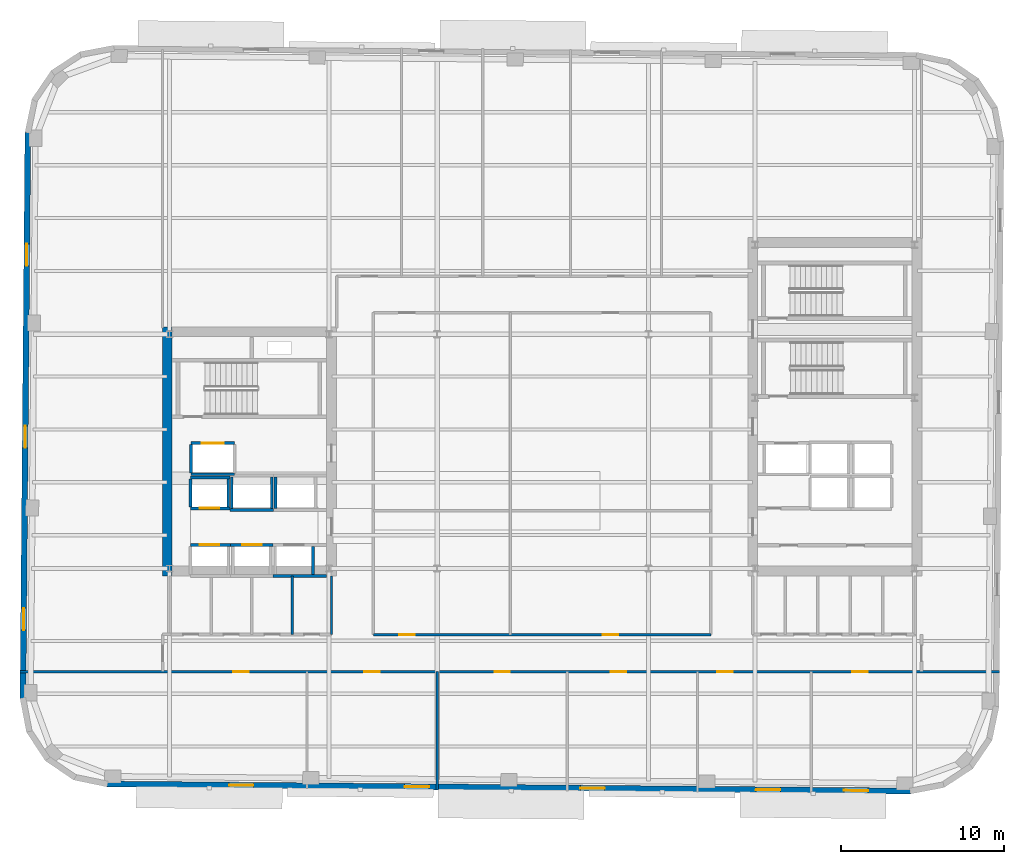
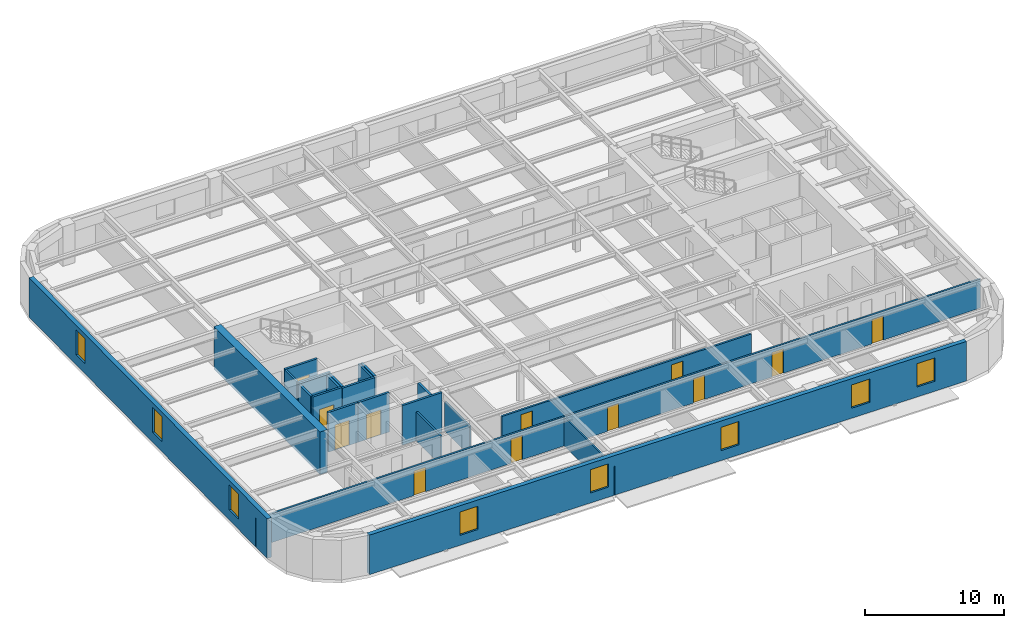
# One storey, part 4 of 11: 23 walls, 12 doors, 8 windows, 20 openings.
"""IFC4 building model written with IfcOpenShell, lengths in metres."""

from ifc_helpers import new_model, si_unit, direction, frame, frame_2d, origin, place, context, subcontext, project, spatial, rectangle, extrude, material, layer, layer_set, type_object, element, fill, save


model = new_model("IFC4")

# Units and contexts
model_context = context("Model", 3, precision=1e-05, world=origin(), true_north=direction((0.0, 1.0)))
body_context = subcontext(model_context, "Body", "Model", "MODEL_VIEW")
ifc_project = project(units=[si_unit("LENGTHUNIT", "METRE"), si_unit("AREAUNIT", "SQUARE_METRE"), si_unit("VOLUMEUNIT", "CUBIC_METRE"), si_unit("PLANEANGLEUNIT", "RADIAN"), si_unit("MASSUNIT", "GRAM", prefix="KILO")], contexts=[model_context])

# Site, building, storey
site_placement = place(None, origin())
site = spatial("IfcSite", under=ifc_project, at=site_placement, CompositionType="ELEMENT")
building_placement = place(site_placement, origin())
building = spatial("IfcBuilding", under=site, at=building_placement, Name="Kolvaren Arena Tower", CompositionType="ELEMENT")
storey_placement = place(building_placement, frame((0.0, 0.0, 162.199951171875)))
storey = spatial("IfcBuildingStorey", under=building, at=storey_placement, Name="L38", CompositionType="ELEMENT", Elevation=162.199951171875)

# Wall, openings, doors
ifc_material_1 = material(Name="Gypsum board acoustic assembly", Category="gypsum")
ifc_layer_1 = layer(ifc_material_1, 0.159912109375)
ifc_layer_set_1 = layer_set([ifc_layer_1], Name="Gypsum board acoustic assembly")
wall_type_1 = type_object("IfcWallType", Name="CORR-160", PredefinedType="PARTITIONING", material=ifc_layer_set_1)
wall_1_placement = place(storey_placement, frame((5.363525390625, 13.10009765625, 0.0), z_axis=(0.0, 0.0, 1.0), x_axis=(1.0, 0.0, 0.0)))
wall_1 = element("IfcWall", 1, at=wall_1_placement, inside=storey, type_object=wall_type_1, Name="Interior Partition Wall (L38)", PredefinedType="PARTITIONING", context=body_context, shape_type="SweptSolid", body=[
    extrude(rectangle(XDim=60.202392578125, YDim=0.159912109375, at=frame_2d((30.10107421875, 0.0))), origin(), (0.0, 0.0, 1.0), 2.5400390625),
])
opening_1_placement = place(wall_1_placement, frame((13.111328125, 0.0, 0.0)))
opening_1 = element("IfcOpeningElement", 2, at=opening_1_placement, cuts=wall_1, Name="Opening D05", PredefinedType="OPENING", context=body_context, shape_type="SweptSolid", body=[
    extrude(rectangle(XDim=0.949951171875, YDim=2.14990234375, at=frame_2d((0.47509765625, 1.074951171875))), frame((0.0, 0.08984375, 0.0), z_axis=(0.0, -1.0, 0.0), x_axis=(1.0, 0.0, 0.0)), (0.0, 0.0, 1.0), 0.179931640625),
])
opening_2_placement = place(wall_1_placement, frame((21.161376953125, 0.0, 0.0)))
opening_2 = element("IfcOpeningElement", 3, at=opening_2_placement, cuts=wall_1, Name="Opening D05", PredefinedType="OPENING", context=body_context, shape_type="SweptSolid", body=[
    extrude(rectangle(XDim=0.949951171875, YDim=2.14990234375, at=frame_2d((0.47509765625, 1.074951171875))), frame((0.0, 0.08984375, 0.0), z_axis=(0.0, -1.0, 0.0), x_axis=(1.0, 0.0, 0.0)), (0.0, 0.0, 1.0), 0.179931640625),
])
opening_3_placement = place(wall_1_placement, frame((29.161376953125, 0.0, 0.0)))
opening_3 = element("IfcOpeningElement", 4, at=opening_3_placement, cuts=wall_1, Name="Opening D05", PredefinedType="OPENING", context=body_context, shape_type="SweptSolid", body=[
    extrude(rectangle(XDim=0.949951171875, YDim=2.14990234375, at=frame_2d((0.47509765625, 1.074951171875))), frame((0.0, 0.08984375, 0.0), z_axis=(0.0, -1.0, 0.0), x_axis=(1.0, 0.0, 0.0)), (0.0, 0.0, 1.0), 0.179931640625),
])
opening_4_placement = place(wall_1_placement, frame((36.311279296875, 0.0, 0.0)))
opening_4 = element("IfcOpeningElement", 5, at=opening_4_placement, cuts=wall_1, Name="Opening D05", PredefinedType="OPENING", context=body_context, shape_type="SweptSolid", body=[
    extrude(rectangle(XDim=0.949951171875, YDim=2.14990234375, at=frame_2d((0.47509765625, 1.074951171875))), frame((0.0, 0.08984375, 0.0), z_axis=(0.0, -1.0, 0.0), x_axis=(1.0, 0.0, 0.0)), (0.0, 0.0, 1.0), 0.179931640625),
])
opening_5_placement = place(wall_1_placement, frame((42.861328125, 0.0, 0.0)))
opening_5 = element("IfcOpeningElement", 6, at=opening_5_placement, cuts=wall_1, Name="Opening D05", PredefinedType="OPENING", context=body_context, shape_type="SweptSolid", body=[
    extrude(rectangle(XDim=0.949951171875, YDim=2.14990234375, at=frame_2d((0.47509765625, 1.074951171875))), frame((0.0, 0.08984375, 0.0), z_axis=(0.0, -1.0, 0.0), x_axis=(1.0, 0.0, 0.0)), (0.0, 0.0, 1.0), 0.179931640625),
])
opening_6_placement = place(wall_1_placement, frame((51.161376953125, 0.0, 0.0)))
opening_6 = element("IfcOpeningElement", 7, at=opening_6_placement, cuts=wall_1, Name="Opening D05", PredefinedType="OPENING", context=body_context, shape_type="SweptSolid", body=[
    extrude(rectangle(XDim=0.949951171875, YDim=2.14990234375, at=frame_2d((0.47509765625, 1.074951171875))), frame((0.0, 0.08984375, 0.0), z_axis=(0.0, -1.0, 0.0), x_axis=(1.0, 0.0, 0.0)), (0.0, 0.0, 1.0), 0.179931640625),
])
ifc_material_2 = material(Name="Solid-core oak acoustic office door", Category="wood")
door_type_1 = type_object("IfcDoorType", Name="DOOR-OF-095", OperationType="NOTDEFINED", PredefinedType="DOOR", material=ifc_material_2)
door_1_placement = place(opening_1_placement, origin())
door_1 = element("IfcDoor", 8, at=door_1_placement, inside=storey, type_object=door_type_1, Name="Wellness Room Door (L38)", OperationType="SINGLE_SWING_RIGHT", OverallHeight=2.14990234375, OverallWidth=0.949951171875, PredefinedType="DOOR", context=body_context, shape_type="SweptSolid", body=[
    extrude(rectangle(XDim=0.949951171875, YDim=2.14990234375, at=frame_2d((0.47509765625, 1.074951171875))), frame((0.0, 0.02490234375, 0.0), z_axis=(0.0, -1.0, 0.0), x_axis=(1.0, 0.0, 0.0)), (0.0, 0.0, 1.0), 0.050048828125),
])
fill(opening_1, door_1)
door_2_placement = place(opening_2_placement, origin())
door_2 = element("IfcDoor", 9, at=door_2_placement, inside=storey, type_object=door_type_1, Name="Client Lounge Door (L38)", OperationType="SINGLE_SWING_LEFT", OverallHeight=2.14990234375, OverallWidth=0.949951171875, PredefinedType="DOOR", context=body_context, shape_type="SweptSolid", body=[
    extrude(rectangle(XDim=0.949951171875, YDim=2.14990234375, at=frame_2d((0.47509765625, 1.074951171875))), frame((0.0, 0.02490234375, 0.0), z_axis=(0.0, -1.0, 0.0), x_axis=(1.0, 0.0, 0.0)), (0.0, 0.0, 1.0), 0.050048828125),
])
fill(opening_2, door_2)
door_3_placement = place(opening_3_placement, origin())
door_3 = element("IfcDoor", 10, at=door_3_placement, inside=storey, type_object=door_type_1, Name="Executive Office Door (L38)", OperationType="SINGLE_SWING_RIGHT", OverallHeight=2.14990234375, OverallWidth=0.949951171875, PredefinedType="DOOR", context=body_context, shape_type="SweptSolid", body=[
    extrude(rectangle(XDim=0.949951171875, YDim=2.14990234375, at=frame_2d((0.47509765625, 1.074951171875))), frame((0.0, 0.02490234375, 0.0), z_axis=(0.0, -1.0, 0.0), x_axis=(1.0, 0.0, 0.0)), (0.0, 0.0, 1.0), 0.050048828125),
])
fill(opening_3, door_3)
door_4_placement = place(opening_4_placement, origin())
door_4 = element("IfcDoor", 11, at=door_4_placement, inside=storey, type_object=door_type_1, Name="Training Seminar Room Door (L38)", OperationType="SINGLE_SWING_LEFT", OverallHeight=2.14990234375, OverallWidth=0.949951171875, PredefinedType="DOOR", context=body_context, shape_type="SweptSolid", body=[
    extrude(rectangle(XDim=0.949951171875, YDim=2.14990234375, at=frame_2d((0.47509765625, 1.074951171875))), frame((0.0, 0.02490234375, 0.0), z_axis=(0.0, -1.0, 0.0), x_axis=(1.0, 0.0, 0.0)), (0.0, 0.0, 1.0), 0.050048828125),
])
fill(opening_4, door_4)
door_5_placement = place(opening_5_placement, origin())
door_5 = element("IfcDoor", 12, at=door_5_placement, inside=storey, type_object=door_type_1, Name="Boardroom Door (L38)", OperationType="SINGLE_SWING_RIGHT", OverallHeight=2.14990234375, OverallWidth=0.949951171875, PredefinedType="DOOR", context=body_context, shape_type="SweptSolid", body=[
    extrude(rectangle(XDim=0.949951171875, YDim=2.14990234375, at=frame_2d((0.47509765625, 1.074951171875))), frame((0.0, 0.02490234375, 0.0), z_axis=(0.0, -1.0, 0.0), x_axis=(1.0, 0.0, 0.0)), (0.0, 0.0, 1.0), 0.050048828125),
])
fill(opening_5, door_5)
door_6_placement = place(opening_6_placement, origin())
door_6 = element("IfcDoor", 13, at=door_6_placement, inside=storey, type_object=door_type_1, Name="Breakout Pantry and Kitchen Door (L38)", OperationType="SINGLE_SWING_LEFT", OverallHeight=2.14990234375, OverallWidth=0.949951171875, PredefinedType="DOOR", context=body_context, shape_type="SweptSolid", body=[
    extrude(rectangle(XDim=0.949951171875, YDim=2.14990234375, at=frame_2d((0.47509765625, 1.074951171875))), frame((0.0, 0.02490234375, 0.0), z_axis=(0.0, -1.0, 0.0), x_axis=(1.0, 0.0, 0.0)), (0.0, 0.0, 1.0), 0.050048828125),
])
fill(opening_6, door_6)

wall_2_placement = place(storey_placement, frame((27.080078125, 15.3798828125, 0.0), z_axis=(0.0, 0.0, 1.0), x_axis=(1.0, 0.0, 0.0)))
wall_2 = element("IfcWall", 14, at=wall_2_placement, inside=storey, type_object=wall_type_1, Name="Interior Partition Wall (L38)", PredefinedType="PARTITIONING", context=body_context, shape_type="SweptSolid", body=[
    extrude(rectangle(XDim=20.739990234375, YDim=0.159912109375, at=frame_2d((10.3701171875, 0.0))), origin(), (0.0, 0.0, 1.0), 2.5400390625),
])
opening_7_placement = place(wall_2_placement, frame((1.594970703125, 0.0, 0.0)))
opening_7 = element("IfcOpeningElement", 15, at=opening_7_placement, cuts=wall_2, Name="Opening D05", PredefinedType="OPENING", context=body_context, shape_type="SweptSolid", body=[
    extrude(rectangle(XDim=0.949951171875, YDim=2.14990234375, at=frame_2d((0.47509765625, 1.074951171875))), frame((0.0, 0.08984375, 0.0), z_axis=(0.0, -1.0, 0.0), x_axis=(1.0, 0.0, 0.0)), (0.0, 0.0, 1.0), 0.179931640625),
])
opening_8_placement = place(wall_2_placement, frame((14.094970703125, 0.0, 0.0)))
opening_8 = element("IfcOpeningElement", 16, at=opening_8_placement, cuts=wall_2, Name="Opening D05", PredefinedType="OPENING", context=body_context, shape_type="SweptSolid", body=[
    extrude(rectangle(XDim=0.949951171875, YDim=2.14990234375, at=frame_2d((0.47509765625, 1.074951171875))), frame((0.0, 0.08984375, 0.0), z_axis=(0.0, -1.0, 0.0), x_axis=(1.0, 0.0, 0.0)), (0.0, 0.0, 1.0), 0.179931640625),
])
door_7_placement = place(opening_7_placement, origin())
door_7 = element("IfcDoor", 17, at=door_7_placement, inside=storey, type_object=door_type_1, Name="Wellness Room Door (L38)", OperationType="SINGLE_SWING_RIGHT", OverallHeight=2.14990234375, OverallWidth=0.949951171875, PredefinedType="DOOR", context=body_context, shape_type="SweptSolid", body=[
    extrude(rectangle(XDim=0.949951171875, YDim=2.14990234375, at=frame_2d((0.47509765625, 1.074951171875))), frame((0.0, 0.02490234375, 0.0), z_axis=(0.0, -1.0, 0.0), x_axis=(1.0, 0.0, 0.0)), (0.0, 0.0, 1.0), 0.050048828125),
])
fill(opening_7, door_7)
door_8_placement = place(opening_8_placement, origin())
door_8 = element("IfcDoor", 18, at=door_8_placement, inside=storey, type_object=door_type_1, Name="Executive Office Door (L38)", OperationType="SINGLE_SWING_RIGHT", OverallHeight=2.14990234375, OverallWidth=0.949951171875, PredefinedType="DOOR", context=body_context, shape_type="SweptSolid", body=[
    extrude(rectangle(XDim=0.949951171875, YDim=2.14990234375, at=frame_2d((0.47509765625, 1.074951171875))), frame((0.0, 0.02490234375, 0.0), z_axis=(0.0, -1.0, 0.0), x_axis=(1.0, 0.0, 0.0)), (0.0, 0.0, 1.0), 0.050048828125),
])
fill(opening_8, door_8)

# Wall
ifc_material_3 = material(Name="Concrete 60 MPa", Category="concrete")
ifc_layer_2 = layer(ifc_material_3, 0.60009765625)
ifc_layer_set_2 = layer_set([ifc_layer_2], Name="Concrete 60 MPa")
wall_type_2 = type_object("IfcWallType", Name="CWALL-600", PredefinedType="SHEAR", material=ifc_layer_set_2)
wall_3_placement = place(storey_placement, frame((14.39990234375, 19.0, -0.27001953125), z_axis=(0.0, 0.0, 1.0), x_axis=(0.0, 1.0, 0.0)))
element("IfcWall", 19, at=wall_3_placement, inside=storey, type_object=wall_type_2, Name="Core Shear Wall WC-WEST (L38)", PredefinedType="SHEAR", context=body_context, shape_type="SweptSolid", body=[
    extrude(rectangle(XDim=15.300048828125, YDim=0.60009765625, at=frame_2d((7.64990234375, 0.0))), origin(), (0.0, 0.0, 1.0), 3.75),
])

# Wall, openings, windows
ifc_material_4 = material(Name="Precast concrete C50/60", Category="concrete")
ifc_layer_3 = layer(ifc_material_4, 0.360107421875)
ifc_layer_set_3 = layer_set([ifc_layer_3], Name="Precast concrete C50/60")
wall_type_3 = type_object("IfcWallType", Name="EXT-PIER2", PredefinedType="SOLIDWALL", material=ifc_layer_set_3)
wall_4_placement = place(storey_placement, frame((5.529296875, 11.461669921875, 0.0), z_axis=(0.0, 0.0, 1.0), x_axis=(0.008727287311, 0.999961916503, 0.0)))
wall_4 = element("IfcWall", 20, at=wall_4_placement, inside=storey, type_object=wall_type_3, Name="Exterior Precast Masonry-Frame Wall (L38)", PredefinedType="SOLIDWALL", context=body_context, shape_type="SweptSolid", body=[
    extrude(rectangle(XDim=34.800048828125, YDim=0.360107421875, at=frame_2d((17.39990234375, 0.0))), origin(), (0.0, 0.0, 1.0), 3.47998046875),
])
opening_9_placement = place(wall_4_placement, frame((4.199951171875, 0.0, 0.8798828125)))
opening_9 = element("IfcOpeningElement", 21, at=opening_9_placement, cuts=wall_4, Name="Opening W04", PredefinedType="OPENING", context=body_context, shape_type="SweptSolid", body=[
    extrude(rectangle(XDim=1.35009765625, YDim=2.199951171875, at=frame_2d((0.675048828125, 1.10009765625))), frame((0.0, 0.18994140625, 0.0), z_axis=(0.0, -1.0, 0.0), x_axis=(1.0, 0.0, 0.0)), (0.0, 0.0, 1.0), 0.380126953125),
])
opening_10_placement = place(wall_4_placement, frame((15.39990234375, 0.0, 0.8798828125)))
opening_10 = element("IfcOpeningElement", 22, at=opening_10_placement, cuts=wall_4, Name="Opening W04", PredefinedType="OPENING", context=body_context, shape_type="SweptSolid", body=[
    extrude(rectangle(XDim=1.35009765625, YDim=2.199951171875, at=frame_2d((0.675048828125, 1.10009765625))), frame((0.0, 0.18994140625, 0.0), z_axis=(0.0, -1.0, 0.0), x_axis=(1.0, 0.0, 0.0)), (0.0, 0.0, 1.0), 0.380126953125),
])
opening_11_placement = place(wall_4_placement, frame((26.60009765625, 0.0, 0.8798828125)))
opening_11 = element("IfcOpeningElement", 23, at=opening_11_placement, cuts=wall_4, Name="Opening W04", PredefinedType="OPENING", context=body_context, shape_type="SweptSolid", body=[
    extrude(rectangle(XDim=1.35009765625, YDim=2.199951171875, at=frame_2d((0.675048828125, 1.10009765625))), frame((0.0, 0.18994140625, 0.0), z_axis=(0.0, -1.0, 0.0), x_axis=(1.0, 0.0, 0.0)), (0.0, 0.0, 1.0), 0.380126953125),
])
ifc_material_5 = material(Name="Triple-glazed curved-facet corner window", Category="glass")
window_type_1 = type_object("IfcWindowType", Name="WIN-CRN-A", PartitioningType="SINGLE_PANEL", PredefinedType="WINDOW", material=ifc_material_5)
window_1_placement = place(opening_9_placement, origin())
window_1 = element("IfcWindow", 24, at=window_1_placement, inside=storey, type_object=window_type_1, Name="End-Wall Punched Window (L38)", OverallHeight=2.199951171875, OverallWidth=1.35009765625, PartitioningType="SINGLE_PANEL", PredefinedType="WINDOW", context=body_context, shape_type="SweptSolid", body=[
    extrude(rectangle(XDim=1.35009765625, YDim=2.199951171875, at=frame_2d((0.675048828125, 1.10009765625))), frame((0.0, 0.030029296875, 0.0), z_axis=(0.0, -1.0, 0.0), x_axis=(1.0, 0.0, 0.0)), (0.0, 0.0, 1.0), 0.06005859375),
])
fill(opening_9, window_1)
window_2_placement = place(opening_10_placement, origin())
window_2 = element("IfcWindow", 25, at=window_2_placement, inside=storey, type_object=window_type_1, Name="End-Wall Punched Window (L38)", OverallHeight=2.199951171875, OverallWidth=1.35009765625, PartitioningType="SINGLE_PANEL", PredefinedType="WINDOW", context=body_context, shape_type="SweptSolid", body=[
    extrude(rectangle(XDim=1.35009765625, YDim=2.199951171875, at=frame_2d((0.675048828125, 1.10009765625))), frame((0.0, 0.030029296875, 0.0), z_axis=(0.0, -1.0, 0.0), x_axis=(1.0, 0.0, 0.0)), (0.0, 0.0, 1.0), 0.06005859375),
])
fill(opening_10, window_2)
window_3_placement = place(opening_11_placement, origin())
window_3 = element("IfcWindow", 26, at=window_3_placement, inside=storey, type_object=window_type_1, Name="End-Wall Punched Window (L38)", OverallHeight=2.199951171875, OverallWidth=1.35009765625, PartitioningType="SINGLE_PANEL", PredefinedType="WINDOW", context=body_context, shape_type="SweptSolid", body=[
    extrude(rectangle(XDim=1.35009765625, YDim=2.199951171875, at=frame_2d((0.675048828125, 1.10009765625))), frame((0.0, 0.030029296875, 0.0), z_axis=(0.0, -1.0, 0.0), x_axis=(1.0, 0.0, 0.0)), (0.0, 0.0, 1.0), 0.06005859375),
])
fill(opening_11, window_3)

wall_5_placement = place(storey_placement, frame((60.101806640625, 5.765380859375, 0.0), z_axis=(0.0, 0.0, 1.0), x_axis=(-0.999961955436, 0.008722825272, 0.0)))
wall_5 = element("IfcWall", 27, at=wall_5_placement, inside=storey, type_object=wall_type_3, Name="Exterior Precast Masonry-Frame Wall (L38)", PredefinedType="SOLIDWALL", context=body_context, shape_type="SweptSolid", body=[
    extrude(rectangle(XDim=49.400146484375, YDim=0.360107421875, at=frame_2d((24.7001953125, 0.0))), origin(), (0.0, 0.0, 1.0), 3.47998046875),
])
opening_12_placement = place(wall_5_placement, frame((2.60009765625, 0.0, 0.8798828125)))
opening_12 = element("IfcOpeningElement", 28, at=opening_12_placement, cuts=wall_5, Name="Opening W03", PredefinedType="OPENING", context=body_context, shape_type="SweptSolid", body=[
    extrude(rectangle(XDim=1.5, YDim=2.050048828125, at=frame_2d((0.75, 1.02490234375))), frame((0.0, 0.18994140625, 0.0), z_axis=(0.0, -1.0, 0.0), x_axis=(1.0, 0.0, 0.0)), (0.0, 0.0, 1.0), 0.380126953125),
])
opening_13_placement = place(wall_5_placement, frame((8.0, 0.0, 0.8798828125)))
opening_13 = element("IfcOpeningElement", 29, at=opening_13_placement, cuts=wall_5, Name="Opening W03", PredefinedType="OPENING", context=body_context, shape_type="SweptSolid", body=[
    extrude(rectangle(XDim=1.5, YDim=2.050048828125, at=frame_2d((0.75, 1.02490234375))), frame((0.0, 0.18994140625, 0.0), z_axis=(0.0, -1.0, 0.0), x_axis=(1.0, 0.0, 0.0)), (0.0, 0.0, 1.0), 0.380126953125),
])
opening_14_placement = place(wall_5_placement, frame((18.800048828125, 0.0, 0.8798828125)))
opening_14 = element("IfcOpeningElement", 30, at=opening_14_placement, cuts=wall_5, Name="Opening W03", PredefinedType="OPENING", context=body_context, shape_type="SweptSolid", body=[
    extrude(rectangle(XDim=1.5, YDim=2.050048828125, at=frame_2d((0.75, 1.02490234375))), frame((0.0, 0.18994140625, 0.0), z_axis=(0.0, -1.0, 0.0), x_axis=(1.0, 0.0, 0.0)), (0.0, 0.0, 1.0), 0.380126953125),
])
opening_15_placement = place(wall_5_placement, frame((29.60009765625, 0.0, 0.8798828125)))
opening_15 = element("IfcOpeningElement", 31, at=opening_15_placement, cuts=wall_5, Name="Opening W03", PredefinedType="OPENING", context=body_context, shape_type="SweptSolid", body=[
    extrude(rectangle(XDim=1.5, YDim=2.050048828125, at=frame_2d((0.75, 1.02490234375))), frame((0.0, 0.18994140625, 0.0), z_axis=(0.0, -1.0, 0.0), x_axis=(1.0, 0.0, 0.0)), (0.0, 0.0, 1.0), 0.380126953125),
])
opening_16_placement = place(wall_5_placement, frame((40.39990234375, 0.0, 0.8798828125)))
opening_16 = element("IfcOpeningElement", 32, at=opening_16_placement, cuts=wall_5, Name="Opening W03", PredefinedType="OPENING", context=body_context, shape_type="SweptSolid", body=[
    extrude(rectangle(XDim=1.5, YDim=2.050048828125, at=frame_2d((0.75, 1.02490234375))), frame((0.0, 0.18994140625, 0.0), z_axis=(0.0, -1.0, 0.0), x_axis=(1.0, 0.0, 0.0)), (0.0, 0.0, 1.0), 0.380126953125),
])
ifc_material_6 = material(Name="Triple-glazed low-E aluminium window", Category="aluminium")
window_type_2 = type_object("IfcWindowType", Name="WIN-OFF-C", PartitioningType="SINGLE_PANEL", PredefinedType="WINDOW", material=ifc_material_6)
window_4_placement = place(opening_12_placement, origin())
window_4 = element("IfcWindow", 33, at=window_4_placement, inside=storey, type_object=window_type_2, Name="Punched Precast-Pier Window (L38)", OverallHeight=2.050048828125, OverallWidth=1.5, PartitioningType="SINGLE_PANEL", PredefinedType="WINDOW", context=body_context, shape_type="SweptSolid", body=[
    extrude(rectangle(XDim=1.5, YDim=2.050048828125, at=frame_2d((0.75, 1.02490234375))), frame((0.0, 0.030029296875, 0.0), z_axis=(0.0, -1.0, 0.0), x_axis=(1.0, 0.0, 0.0)), (0.0, 0.0, 1.0), 0.06005859375),
])
fill(opening_12, window_4)
window_5_placement = place(opening_13_placement, origin())
window_5 = element("IfcWindow", 34, at=window_5_placement, inside=storey, type_object=window_type_2, Name="Punched Precast-Pier Window (L38)", OverallHeight=2.050048828125, OverallWidth=1.5, PartitioningType="SINGLE_PANEL", PredefinedType="WINDOW", context=body_context, shape_type="SweptSolid", body=[
    extrude(rectangle(XDim=1.5, YDim=2.050048828125, at=frame_2d((0.75, 1.02490234375))), frame((0.0, 0.030029296875, 0.0), z_axis=(0.0, -1.0, 0.0), x_axis=(1.0, 0.0, 0.0)), (0.0, 0.0, 1.0), 0.06005859375),
])
fill(opening_13, window_5)
window_6_placement = place(opening_14_placement, origin())
window_6 = element("IfcWindow", 35, at=window_6_placement, inside=storey, type_object=window_type_2, Name="Punched Precast-Pier Window (L38)", OverallHeight=2.050048828125, OverallWidth=1.5, PartitioningType="SINGLE_PANEL", PredefinedType="WINDOW", context=body_context, shape_type="SweptSolid", body=[
    extrude(rectangle(XDim=1.5, YDim=2.050048828125, at=frame_2d((0.75, 1.02490234375))), frame((0.0, 0.030029296875, 0.0), z_axis=(0.0, -1.0, 0.0), x_axis=(1.0, 0.0, 0.0)), (0.0, 0.0, 1.0), 0.06005859375),
])
fill(opening_14, window_6)
window_7_placement = place(opening_15_placement, origin())
window_7 = element("IfcWindow", 36, at=window_7_placement, inside=storey, type_object=window_type_2, Name="Punched Precast-Pier Window (L38)", OverallHeight=2.050048828125, OverallWidth=1.5, PartitioningType="SINGLE_PANEL", PredefinedType="WINDOW", context=body_context, shape_type="SweptSolid", body=[
    extrude(rectangle(XDim=1.5, YDim=2.050048828125, at=frame_2d((0.75, 1.02490234375))), frame((0.0, 0.030029296875, 0.0), z_axis=(0.0, -1.0, 0.0), x_axis=(1.0, 0.0, 0.0)), (0.0, 0.0, 1.0), 0.06005859375),
])
fill(opening_15, window_7)
window_8_placement = place(opening_16_placement, origin())
window_8 = element("IfcWindow", 37, at=window_8_placement, inside=storey, type_object=window_type_2, Name="Punched Precast-Pier Window (L38)", OverallHeight=2.050048828125, OverallWidth=1.5, PartitioningType="SINGLE_PANEL", PredefinedType="WINDOW", context=body_context, shape_type="SweptSolid", body=[
    extrude(rectangle(XDim=1.5, YDim=2.050048828125, at=frame_2d((0.75, 1.02490234375))), frame((0.0, 0.030029296875, 0.0), z_axis=(0.0, -1.0, 0.0), x_axis=(1.0, 0.0, 0.0)), (0.0, 0.0, 1.0), 0.06005859375),
])
fill(opening_16, window_8)

# Wall
ifc_material_7 = material(Name="Gypsum board partition assembly", Category="gypsum")
ifc_layer_4 = layer(ifc_material_7, 0.135009765625)
ifc_layer_set_4 = layer_set([ifc_layer_4], Name="Gypsum board partition assembly")
wall_type_4 = type_object("IfcWallType", Name="PART-135", PredefinedType="PARTITIONING", material=ifc_layer_set_4)
wall_6_placement = place(storey_placement, frame((31.0, 5.83935546875, 0.0), z_axis=(0.0, 0.0, 1.0), x_axis=(0.0, 1.0, 0.0)))
element("IfcWall", 38, at=wall_6_placement, inside=storey, type_object=wall_type_4, Name="Interior Partition Wall (L38)", PredefinedType="PARTITIONING", context=body_context, shape_type="SweptSolid", body=[
    extrude(rectangle(XDim=7.2607421875, YDim=0.135009765625, at=frame_2d((3.63037109375, 0.0))), origin(), (0.0, 0.0, 1.0), 2.5400390625),
])

# Wall, opening, door
ifc_material_8 = material(Name="Concrete 45 MPa", Category="concrete")
ifc_layer_5 = layer(ifc_material_8, 0.25)
ifc_layer_set_5 = layer_set([ifc_layer_5], Name="Concrete 45 MPa")
wall_type_5 = type_object("IfcWallType", Name="SHAFT-250", PredefinedType="SOLIDWALL", material=ifc_layer_set_5)
wall_7_placement = place(storey_placement, frame((15.844970703125, 20.905029296875, 0.0), z_axis=(0.0, 0.0, 1.0), x_axis=(1.0, 0.0, 0.0)))
wall_7 = element("IfcWall", 39, at=wall_7_placement, inside=storey, type_object=wall_type_5, Name="Core Shaft Wall (L38)", PredefinedType="SOLIDWALL", context=body_context, shape_type="SweptSolid", body=[
    extrude(rectangle(XDim=2.455078125, YDim=0.179931640625, at=frame_2d((1.2275390625, 0.0))), origin(), (0.0, 0.0, 1.0), 3.47998046875),
])
opening_17_placement = place(wall_7_placement, frame((0.554931640625, 0.0, 0.0)))
opening_17 = element("IfcOpeningElement", 40, at=opening_17_placement, cuts=wall_7, Name="Opening LD1", PredefinedType="OPENING", context=body_context, shape_type="SweptSolid", body=[
    extrude(rectangle(XDim=1.199951171875, YDim=2.199951171875, at=frame_2d((0.60009765625, 1.10009765625))), frame((0.0, 0.099853515625, 0.0), z_axis=(0.0, -1.0, 0.0), x_axis=(1.0, 0.0, 0.0)), (0.0, 0.0, 1.0), 0.199951171875),
])
ifc_material_9 = material(Name="Stainless steel passenger lift landing door", Category="steel")
door_type_2 = type_object("IfcDoorType", Name="DOOR-LD-120", OperationType="DOUBLE_DOOR_SLIDING", PredefinedType="DOOR", material=ifc_material_9)
door_9_placement = place(opening_17_placement, origin())
door_9 = element("IfcDoor", 41, at=door_9_placement, inside=storey, type_object=door_type_2, Name="Lift EL-MR1 Landing Door (L38)", OperationType="DOUBLE_DOOR_SLIDING", OverallHeight=2.199951171875, OverallWidth=1.199951171875, PredefinedType="DOOR", context=body_context, shape_type="SweptSolid", body=[
    extrude(rectangle(XDim=1.199951171875, YDim=2.199951171875, at=frame_2d((0.60009765625, 1.10009765625))), frame((0.0, 0.02490234375, 0.0), z_axis=(0.0, -1.0, 0.0), x_axis=(1.0, 0.0, 0.0)), (0.0, 0.0, 1.0), 0.050048828125),
])
fill(opening_17, door_9)

wall_8_placement = place(storey_placement, frame((18.300048828125, 20.905029296875, 0.0), z_axis=(0.0, 0.0, 1.0), x_axis=(1.0, 0.0, 0.0)))
wall_8 = element("IfcWall", 42, at=wall_8_placement, inside=storey, type_object=wall_type_5, Name="Core Shaft Wall (L38)", PredefinedType="SOLIDWALL", context=body_context, shape_type="SweptSolid", body=[
    extrude(rectangle(XDim=2.599853515625, YDim=0.179931640625, at=frame_2d((1.2998046875, 0.0))), origin(), (0.0, 0.0, 1.0), 3.47998046875),
])
opening_18_placement = place(wall_8_placement, frame((0.699951171875, 0.0, 0.0)))
opening_18 = element("IfcOpeningElement", 43, at=opening_18_placement, cuts=wall_8, Name="Opening LD1", PredefinedType="OPENING", context=body_context, shape_type="SweptSolid", body=[
    extrude(rectangle(XDim=1.199951171875, YDim=2.199951171875, at=frame_2d((0.60009765625, 1.10009765625))), frame((0.0, 0.099853515625, 0.0), z_axis=(0.0, -1.0, 0.0), x_axis=(1.0, 0.0, 0.0)), (0.0, 0.0, 1.0), 0.199951171875),
])
door_10_placement = place(opening_18_placement, origin())
door_10 = element("IfcDoor", 44, at=door_10_placement, inside=storey, type_object=door_type_2, Name="Lift EL-MR2 Landing Door (L38)", OperationType="DOUBLE_DOOR_SLIDING", OverallHeight=2.199951171875, OverallWidth=1.199951171875, PredefinedType="DOOR", context=body_context, shape_type="SweptSolid", body=[
    extrude(rectangle(XDim=1.199951171875, YDim=2.199951171875, at=frame_2d((0.60009765625, 1.10009765625))), frame((0.0, 0.02490234375, 0.0), z_axis=(0.0, -1.0, 0.0), x_axis=(1.0, 0.0, 0.0)), (0.0, 0.0, 1.0), 0.050048828125),
])
fill(opening_18, door_10)

# Walls
wall_9_placement = place(storey_placement, frame((20.89990234375, 18.9951171875, 0.0), z_axis=(0.0, 0.0, 1.0), x_axis=(1.0, 0.0, 0.0)))
element("IfcWall", 45, at=wall_9_placement, inside=storey, type_object=wall_type_5, Name="Core Shaft Wall (L38)", PredefinedType="SOLIDWALL", context=body_context, shape_type="SweptSolid", body=[
    extrude(rectangle(XDim=3.300048828125, YDim=0.179931640625, at=frame_2d((1.64990234375, 0.0))), origin(), (0.0, 0.0, 1.0), 3.47998046875),
])
wall_10_placement = place(storey_placement, frame((23.35498046875, 19.0849609375, 0.0), z_axis=(0.0, 0.0, 1.0), x_axis=(0.0, 1.0, 0.0)))
element("IfcWall", 46, at=wall_10_placement, inside=storey, type_object=wall_type_5, Name="Core Shaft Wall (L38)", PredefinedType="SOLIDWALL", context=body_context, shape_type="SweptSolid", body=[
    extrude(rectangle(XDim=1.72998046875, YDim=0.179931640625, at=frame_2d((0.864990234375, 0.0))), origin(), (0.0, 0.0, 1.0), 3.47998046875),
])
wall_11_placement = place(storey_placement, frame((15.844970703125, 25.054931640625, 0.0), z_axis=(0.0, 0.0, 1.0), x_axis=(1.0, 0.0, 0.0)))
element("IfcWall", 47, at=wall_11_placement, inside=storey, type_object=wall_type_5, Name="Core Shaft Wall (L38)", PredefinedType="SOLIDWALL", context=body_context, shape_type="SweptSolid", body=[
    extrude(rectangle(XDim=2.41748046875, YDim=0.179931640625, at=frame_2d((1.208740234375, 0.0))), origin(), (0.0, 0.0, 1.0), 3.47998046875),
])

# Wall, opening, door
wall_12_placement = place(storey_placement, frame((15.844970703125, 23.14501953125, 0.0), z_axis=(0.0, 0.0, 1.0), x_axis=(1.0, 0.0, 0.0)))
wall_12 = element("IfcWall", 48, at=wall_12_placement, inside=storey, type_object=wall_type_5, Name="Core Shaft Wall (L38)", PredefinedType="SOLIDWALL", context=body_context, shape_type="SweptSolid", body=[
    extrude(rectangle(XDim=2.41748046875, YDim=0.179931640625, at=frame_2d((1.208740234375, 0.0))), origin(), (0.0, 0.0, 1.0), 3.47998046875),
])
opening_19_placement = place(wall_12_placement, frame((0.554931640625, 0.0, 0.0)))
opening_19 = element("IfcOpeningElement", 49, at=opening_19_placement, cuts=wall_12, Name="Opening LD1", PredefinedType="OPENING", context=body_context, shape_type="SweptSolid", body=[
    extrude(rectangle(XDim=1.199951171875, YDim=2.199951171875, at=frame_2d((0.60009765625, 1.10009765625))), frame((0.0, 0.099853515625, 0.0), z_axis=(0.0, -1.0, 0.0), x_axis=(1.0, 0.0, 0.0)), (0.0, 0.0, 1.0), 0.199951171875),
])
door_11_placement = place(opening_19_placement, origin())
door_11 = element("IfcDoor", 50, at=door_11_placement, inside=storey, type_object=door_type_2, Name="Lift EL-MR4 Landing Door (L38)", OperationType="DOUBLE_DOOR_SLIDING", OverallHeight=2.199951171875, OverallWidth=1.199951171875, PredefinedType="DOOR", context=body_context, shape_type="SweptSolid", body=[
    extrude(rectangle(XDim=1.199951171875, YDim=2.199951171875, at=frame_2d((0.60009765625, 1.10009765625))), frame((0.0, 0.02490234375, 0.0), z_axis=(0.0, -1.0, 0.0), x_axis=(1.0, 0.0, 0.0)), (0.0, 0.0, 1.0), 0.050048828125),
])
fill(opening_19, door_11)

# Walls
for number, where, z_axis, x_axis, name in (
    (51, (15.844970703125, 23.235107421875, 0.0), (0.0, 0.0, 1.0), (0.0, 1.0, 0.0), "Core Shaft Wall (L38)"),
    (52, (18.155029296875, 23.235107421875, 0.0), (0.0, 0.0, 1.0), (0.0, 1.0, 0.0), "Core Shaft Wall (L38)"),
):
    element("IfcWall", number, at=place(storey_placement, frame(where, z_axis=z_axis, x_axis=x_axis)), inside=storey, type_object=wall_type_5, Name=name, PredefinedType="SOLIDWALL", context=body_context, shape_type="SweptSolid", body=[
        extrude(rectangle(XDim=1.72998046875, YDim=0.179931640625, at=frame_2d((0.864990234375, 0.0))), origin(), (0.0, 0.0, 1.0), 3.47998046875),
    ])
wall_13_placement = place(storey_placement, frame((18.262451171875, 23.044921875, 0.0), z_axis=(0.0, 0.0, 1.0), x_axis=(1.0, 0.0, 0.0)))
element("IfcWall", 53, at=wall_13_placement, inside=storey, type_object=wall_type_5, Name="Core Shaft Wall (L38)", PredefinedType="SOLIDWALL", context=body_context, shape_type="SweptSolid", body=[
    extrude(rectangle(XDim=2.6875, YDim=0.179931640625, at=frame_2d((1.34375, 0.0))), origin(), (0.0, 0.0, 1.0), 3.47998046875),
])
for number, where, z_axis, x_axis, name in (
    (54, (18.3701171875, 23.135009765625, 0.0), (0.0, 0.0, 1.0), (0.0, 1.0, 0.0), "Core Shaft Wall (L38)"),
    (55, (20.830078125, 23.135009765625, 0.0), (0.0, 0.0, 1.0), (0.0, 1.0, 0.0), "Core Shaft Wall (L38)"),
    (56, (21.070068359375, 23.135009765625, 0.0), (0.0, 0.0, 1.0), (0.0, 1.0, 0.0), "Core Shaft Wall (L38)"),
):
    element("IfcWall", number, at=place(storey_placement, frame(where, z_axis=z_axis, x_axis=x_axis)), inside=storey, type_object=wall_type_5, Name=name, PredefinedType="SOLIDWALL", context=body_context, shape_type="SweptSolid", body=[
        extrude(rectangle(XDim=1.929931640625, YDim=0.179931640625, at=frame_2d((0.96484375, 0.0))), origin(), (0.0, 0.0, 1.0), 3.47998046875),
    ])

# Wall, opening, door
wall_14_placement = place(storey_placement, frame((15.8701171875, 27.155029296875, 0.0), z_axis=(0.0, 0.0, 1.0), x_axis=(1.0, 0.0, 0.0)))
wall_14 = element("IfcWall", 57, at=wall_14_placement, inside=storey, type_object=wall_type_5, Name="Core Shaft Wall (L38)", PredefinedType="SOLIDWALL", context=body_context, shape_type="SweptSolid", body=[
    extrude(rectangle(XDim=2.659912109375, YDim=0.179931640625, at=frame_2d((1.330078125, 0.0))), origin(), (0.0, 0.0, 1.0), 3.47998046875),
])
opening_20_placement = place(wall_14_placement, frame((0.655029296875, 0.0, 0.0)))
opening_20 = element("IfcOpeningElement", 58, at=opening_20_placement, cuts=wall_14, Name="Opening LD2", PredefinedType="OPENING", context=body_context, shape_type="SweptSolid", body=[
    extrude(rectangle(XDim=1.35009765625, YDim=2.300048828125, at=frame_2d((0.675048828125, 1.14990234375))), frame((0.0, 0.099853515625, 0.0), z_axis=(0.0, -1.0, 0.0), x_axis=(1.0, 0.0, 0.0)), (0.0, 0.0, 1.0), 0.199951171875),
])
ifc_material_10 = material(Name="Stainless steel firefighter lift landing door", Category="steel")
door_type_3 = type_object("IfcDoorType", Name="DOOR-LD-135", OperationType="DOUBLE_DOOR_SLIDING", PredefinedType="DOOR", material=ifc_material_10)
door_12_placement = place(opening_20_placement, origin())
door_12 = element("IfcDoor", 59, at=door_12_placement, inside=storey, type_object=door_type_3, Name="Firefighter Lift FF-W1 Landing Door (L38)", OperationType="DOUBLE_DOOR_SLIDING", OverallHeight=2.300048828125, OverallWidth=1.35009765625, PredefinedType="DOOR", context=body_context, shape_type="SweptSolid", body=[
    extrude(rectangle(XDim=1.35009765625, YDim=2.300048828125, at=frame_2d((0.675048828125, 1.14990234375))), frame((0.0, 0.02490234375, 0.0), z_axis=(0.0, -1.0, 0.0), x_axis=(1.0, 0.0, 0.0)), (0.0, 0.0, 1.0), 0.050048828125),
])
fill(opening_20, door_12)

# Walls
wall_15_placement = place(storey_placement, frame((15.8701171875, 25.2451171875, 0.0), z_axis=(0.0, 0.0, 1.0), x_axis=(1.0, 0.0, 0.0)))
element("IfcWall", 60, at=wall_15_placement, inside=storey, type_object=wall_type_5, Name="Core Shaft Wall (L38)", PredefinedType="SOLIDWALL", context=body_context, shape_type="SweptSolid", body=[
    extrude(rectangle(XDim=2.659912109375, YDim=0.179931640625, at=frame_2d((1.330078125, 0.0))), origin(), (0.0, 0.0, 1.0), 3.47998046875),
])
wall_16_placement = place(storey_placement, frame((15.8701171875, 25.3349609375, 0.0), z_axis=(0.0, 0.0, 1.0), x_axis=(0.0, 1.0, 0.0)))
element("IfcWall", 61, at=wall_16_placement, inside=storey, type_object=wall_type_5, Name="Core Shaft Wall (L38)", PredefinedType="SOLIDWALL", context=body_context, shape_type="SweptSolid", body=[
    extrude(rectangle(XDim=1.72998046875, YDim=0.179931640625, at=frame_2d((0.864990234375, 0.0))), origin(), (0.0, 0.0, 1.0), 3.47998046875),
])
ifc_material_11 = material(Name="Moisture-resistant gypsum assembly", Category="gypsum")
ifc_layer_6 = layer(ifc_material_11, 0.14990234375)
ifc_layer_set_6 = layer_set([ifc_layer_6], Name="Moisture-resistant gypsum assembly")
wall_type_6 = type_object("IfcWallType", Name="WETW-150", PredefinedType="PARTITIONING", material=ifc_layer_set_6)
for number, where, z_axis, x_axis, name in (
    (62, (22.10009765625, 15.39990234375, 0.0), (0.0, 0.0, 1.0), (0.0, 1.0, 0.0), "Interior Partition Wall (L38)"),
    (63, (24.5, 15.39990234375, 0.0), (0.0, 0.0, 1.0), (0.0, 1.0, 0.0), "Interior Partition Wall (L38)"),
):
    element("IfcWall", number, at=place(storey_placement, frame(where, z_axis=z_axis, x_axis=x_axis)), inside=storey, type_object=wall_type_6, Name=name, PredefinedType="PARTITIONING", context=body_context, shape_type="SweptSolid", body=[
        extrude(rectangle(XDim=3.580078125, YDim=0.14990234375, at=frame_2d((1.7900390625, 0.0))), origin(), (0.0, 0.0, 1.0), 2.5400390625),
    ])

save(model, "model.ifc")
